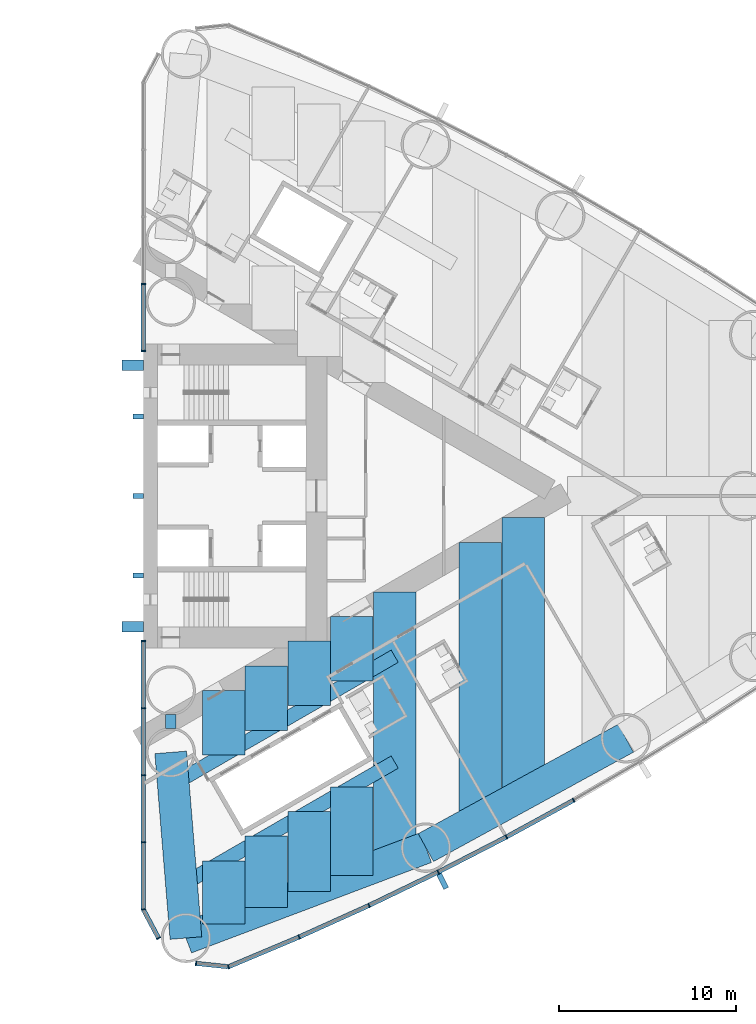
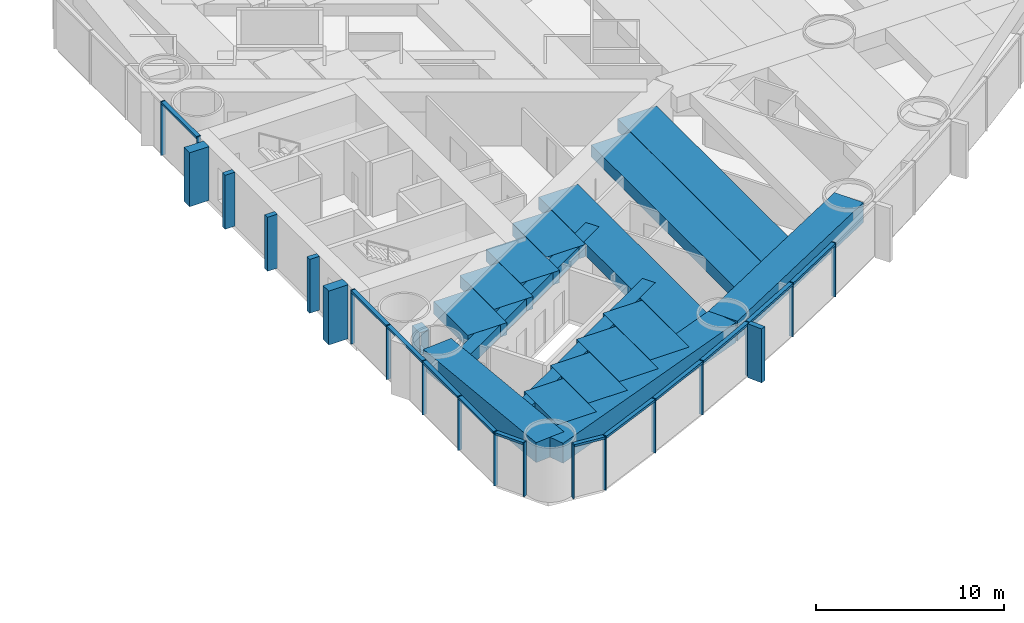
# One storey, part 6 of 19: 33 members, 17 beams, 3 elements without a shape of their own.
"""IFC4 building model written with IfcOpenShell, lengths in metres."""

from ifc_helpers import new_model, si_unit, direction, frame, origin, origin_2d, place, context, subcontext, project, spatial, rectangle, hollow_rectangle, extrude, material, material_profile, profile_set, type_object, element, aggregate, save


model = new_model("IFC4")

# Units and contexts
model_context = context("Model", 3, precision=1e-05, world=origin(), true_north=direction((0.0, 1.0)))
body_context = subcontext(model_context, "Body", "Model", "MODEL_VIEW")
ifc_project = project(units=[si_unit("LENGTHUNIT", "METRE"), si_unit("AREAUNIT", "SQUARE_METRE"), si_unit("VOLUMEUNIT", "CUBIC_METRE"), si_unit("PLANEANGLEUNIT", "RADIAN"), si_unit("MASSUNIT", "GRAM", prefix="KILO")], contexts=[model_context])

# Site, building, storey
site_placement = place(None, origin())
site = spatial("IfcSite", under=ifc_project, at=site_placement, CompositionType="ELEMENT")
building_placement = place(site_placement, origin())
building = spatial("IfcBuilding", under=site, at=building_placement, Name="Lancet Gate Hotel", CompositionType="ELEMENT")
storey_placement = place(building_placement, frame((0.0, 0.0, 60.0)))
storey = spatial("IfcBuildingStorey", under=building, at=storey_placement, Name="L15", CompositionType="ELEMENT", Elevation=60.0)

# Curtain wall, members
ifc_material_1 = material(Name="Aluminium curtain wall", Category="aluminium")
curtain_wall_type = type_object("IfcCurtainWallType", Name="Tower unitised curtain wall", PredefinedType="USERDEFINED", material=ifc_material_1)
curtain_wall_1_placement = place(storey_placement, origin())
curtain_wall_1 = element("IfcCurtainWall", 1, at=curtain_wall_1_placement, inside=storey, type_object=curtain_wall_type, Name="T2 L15 curtain wall 1", ObjectType="UNITISED CURTAIN WALL", PredefinedType="USERDEFINED")
ifc_material_2 = material(Name="Aluminium mullion", Category="aluminium")
ifc_material_profile_1 = material_profile(ifc_material_2, rectangle(XDim=0.06494140625, YDim=0.25, at=origin_2d()), Name="MULLION 65x250")
ifc_profile_set_1 = profile_set([ifc_material_profile_1], Name="Aluminium mullion")
member_type_1 = type_object("IfcMemberType", Name="Aluminium mullion 65x250", PredefinedType="MULLION", material=ifc_profile_set_1)
member_1_placement = place(storey_placement, frame((27.5, -8.199951171875, 0.0), z_axis=(0.0, 0.0, 1.0), x_axis=(0.0, -1.0, 0.0)))
member_1 = element("IfcMember", 2, at=member_1_placement, type_object=member_type_1, Name="T2 L15 curtain wall 1 mullion 1", PredefinedType="MULLION", context=body_context, shape_type="SweptSolid", body=[
    extrude(rectangle(XDim=0.06494140625, YDim=0.25, at=origin_2d()), origin(), (0.0, 0.0, 1.0), 3.5),
])
member_2_placement = place(storey_placement, frame((27.5, -11.99609375, 0.0), z_axis=(0.0, 0.0, 1.0), x_axis=(0.0, -1.0, 0.0)))
member_2 = element("IfcMember", 3, at=member_2_placement, type_object=member_type_1, Name="T2 L15 curtain wall 1 mullion 2", PredefinedType="MULLION", context=body_context, shape_type="SweptSolid", body=[
    extrude(rectangle(XDim=0.06494140625, YDim=0.25, at=origin_2d()), origin(), (0.0, 0.0, 1.0), 3.5),
])
member_3_placement = place(storey_placement, frame((27.5, -15.79248046875, 0.0), z_axis=(0.0, 0.0, 1.0), x_axis=(0.0, -1.0, 0.0)))
member_3 = element("IfcMember", 4, at=member_3_placement, type_object=member_type_1, Name="T2 L15 curtain wall 1 mullion 3", PredefinedType="MULLION", context=body_context, shape_type="SweptSolid", body=[
    extrude(rectangle(XDim=0.06494140625, YDim=0.25, at=origin_2d()), origin(), (0.0, 0.0, 1.0), 3.5),
])
member_4_placement = place(storey_placement, frame((27.5, -19.588623046875, 0.0), z_axis=(0.0, 0.0, 1.0), x_axis=(0.0, -1.0, 0.0)))
member_4 = element("IfcMember", 5, at=member_4_placement, type_object=member_type_1, Name="T2 L15 curtain wall 1 mullion 4", PredefinedType="MULLION", context=body_context, shape_type="SweptSolid", body=[
    extrude(rectangle(XDim=0.06494140625, YDim=0.25, at=origin_2d()), origin(), (0.0, 0.0, 1.0), 3.5),
])
member_5_placement = place(storey_placement, frame((27.5, -23.384765625, 0.0), z_axis=(0.0, 0.0, 1.0), x_axis=(0.157751691459, -0.987478811844, 0.0)))
member_5 = element("IfcMember", 6, at=member_5_placement, type_object=member_type_1, Name="T2 L15 curtain wall 1 mullion 5", PredefinedType="MULLION", context=body_context, shape_type="SweptSolid", body=[
    extrude(rectangle(XDim=0.06494140625, YDim=0.25, at=origin_2d()), origin(), (0.0, 0.0, 1.0), 3.5),
])
member_6_placement = place(storey_placement, frame((28.366455078125, -25.012451171875, 0.0), z_axis=(0.0, 0.0, 1.0), x_axis=(0.469897827284, -0.882720811987, 0.0)))
member_6 = element("IfcMember", 7, at=member_6_placement, type_object=member_type_1, Name="T2 L15 curtain wall 1 mullion 6", PredefinedType="MULLION", context=body_context, shape_type="SweptSolid", body=[
    extrude(rectangle(XDim=0.06494140625, YDim=0.25, at=origin_2d()), origin(), (0.0, 0.0, 1.0), 3.5),
])

curtain_wall_2_placement = place(storey_placement, origin())
curtain_wall_2 = element("IfcCurtainWall", 8, at=curtain_wall_2_placement, inside=storey, type_object=curtain_wall_type, Name="T2 L15 curtain wall 2", ObjectType="UNITISED CURTAIN WALL", PredefinedType="USERDEFINED")
member_7_placement = place(storey_placement, frame((30.48388671875, -26.4375, 0.0), z_axis=(0.0, 0.0, 1.0), x_axis=(0.994672262412, -0.10308778001, 0.0)))
member_7 = element("IfcMember", 9, at=member_7_placement, type_object=member_type_1, Name="T2 L15 curtain wall 2 mullion 1", PredefinedType="MULLION", context=body_context, shape_type="SweptSolid", body=[
    extrude(rectangle(XDim=0.06494140625, YDim=0.25, at=origin_2d()), origin(), (0.0, 0.0, 1.0), 3.5),
])
member_8_placement = place(storey_placement, frame((32.3173828125, -26.62744140625, 0.0), z_axis=(0.0, 0.0, 1.0), x_axis=(0.968721492963, 0.248150496819, 0.0)))
member_8 = element("IfcMember", 10, at=member_8_placement, type_object=member_type_1, Name="T2 L15 curtain wall 2 mullion 2", PredefinedType="MULLION", context=body_context, shape_type="SweptSolid", body=[
    extrude(rectangle(XDim=0.06494140625, YDim=0.25, at=origin_2d()), origin(), (0.0, 0.0, 1.0), 3.5),
])
member_9_placement = place(storey_placement, frame((36.31494140625, -24.943603515625, 0.0), z_axis=(0.0, 0.0, 1.0), x_axis=(0.916578705089, 0.399854320193, 0.0)))
member_9 = element("IfcMember", 11, at=member_9_placement, type_object=member_type_1, Name="T2 L15 curtain wall 2 mullion 3", PredefinedType="MULLION", context=body_context, shape_type="SweptSolid", body=[
    extrude(rectangle(XDim=0.06494140625, YDim=0.25, at=origin_2d()), origin(), (0.0, 0.0, 1.0), 3.5),
])
member_10_placement = place(storey_placement, frame((40.2685546875, -23.15869140625, 0.0), z_axis=(0.0, 0.0, 1.0), x_axis=(0.906104948671, 0.423052977762, 0.0)))
member_10 = element("IfcMember", 12, at=member_10_placement, type_object=member_type_1, Name="T2 L15 curtain wall 2 mullion 4", PredefinedType="MULLION", context=body_context, shape_type="SweptSolid", body=[
    extrude(rectangle(XDim=0.06494140625, YDim=0.25, at=origin_2d()), origin(), (0.0, 0.0, 1.0), 3.5),
])
member_11_placement = place(storey_placement, frame((44.17529296875, -21.273681640625, 0.0), z_axis=(0.0, 0.0, 1.0), x_axis=(0.895044147438, 0.445977548917, 0.0)))
member_11 = element("IfcMember", 13, at=member_11_placement, type_object=member_type_1, Name="T2 L15 curtain wall 2 mullion 5", PredefinedType="MULLION", context=body_context, shape_type="SweptSolid", body=[
    extrude(rectangle(XDim=0.06494140625, YDim=0.25, at=origin_2d()), origin(), (0.0, 0.0, 1.0), 3.5),
])
member_12_placement = place(storey_placement, frame((48.03271484375, -19.2900390625, 0.0), z_axis=(0.0, 0.0, 1.0), x_axis=(0.88340346743, 0.468613181347, 0.0)))
member_12 = element("IfcMember", 14, at=member_12_placement, type_object=member_type_1, Name="T2 L15 curtain wall 2 mullion 6", PredefinedType="MULLION", context=body_context, shape_type="SweptSolid", body=[
    extrude(rectangle(XDim=0.06494140625, YDim=0.25, at=origin_2d()), origin(), (0.0, 0.0, 1.0), 3.5),
])
member_13_placement = place(storey_placement, frame((51.838623046875, -17.208740234375, 0.0), z_axis=(0.0, 0.0, 1.0), x_axis=(0.871190450382, 0.490945209941, 0.0)))
member_13 = element("IfcMember", 15, at=member_13_placement, type_object=member_type_1, Name="T2 L15 curtain wall 2 mullion 7", PredefinedType="MULLION", context=body_context, shape_type="SweptSolid", body=[
    extrude(rectangle(XDim=0.06494140625, YDim=0.25, at=origin_2d()), origin(), (0.0, 0.0, 1.0), 3.5),
])

curtain_wall_3_placement = place(storey_placement, origin())
curtain_wall_3 = element("IfcCurtainWall", 16, at=curtain_wall_3_placement, inside=storey, type_object=curtain_wall_type, Name="T2 L15 curtain wall 4", ObjectType="UNITISED CURTAIN WALL", PredefinedType="USERDEFINED")
member_14_placement = place(storey_placement, frame((27.5, 11.99609375, 0.0), z_axis=(0.0, 0.0, 1.0), x_axis=(0.0, -1.0, 0.0)))
member_14 = element("IfcMember", 17, at=member_14_placement, type_object=member_type_1, Name="T2 L15 curtain wall 4 mullion 5", PredefinedType="MULLION", context=body_context, shape_type="SweptSolid", body=[
    extrude(rectangle(XDim=0.06494140625, YDim=0.25, at=origin_2d()), origin(), (0.0, 0.0, 1.0), 3.5),
])
member_15_placement = place(storey_placement, frame((27.5, 8.199951171875, 0.0), z_axis=(0.0, 0.0, 1.0), x_axis=(0.0, -1.0, 0.0)))
member_15 = element("IfcMember", 18, at=member_15_placement, type_object=member_type_1, Name="T2 L15 curtain wall 4 mullion 6", PredefinedType="MULLION", context=body_context, shape_type="SweptSolid", body=[
    extrude(rectangle(XDim=0.06494140625, YDim=0.25, at=origin_2d()), origin(), (0.0, 0.0, 1.0), 3.5),
])

# Member
ifc_material_3 = material(Name="Aluminium transom", Category="aluminium")
ifc_material_profile_2 = material_profile(ifc_material_3, rectangle(XDim=0.25, YDim=0.14990234375, at=origin_2d()), Name="TRANSOM 250x150")
ifc_profile_set_2 = profile_set([ifc_material_profile_2], Name="Aluminium transom")
member_type_2 = type_object("IfcMemberType", Name="Aluminium transom 250x150", PredefinedType="USERDEFINED", material=ifc_profile_set_2)
member_16_placement = place(storey_placement, frame((27.5, -8.232421875, 3.425048828125), z_axis=(0.0, -1.0, 0.0), x_axis=(1.0, 0.0, 0.0)))
member_16 = element("IfcMember", 19, at=member_16_placement, type_object=member_type_2, Name="T2 L15 curtain wall 1 transom 1", ObjectType="TRANSOM", PredefinedType="USERDEFINED", context=body_context, shape_type="SweptSolid", body=[
    extrude(rectangle(XDim=0.25, YDim=0.14990234375, at=origin_2d()), origin(), (0.0, 0.0, 1.0), 3.731201171875),
])

member_17_placement = place(storey_placement, frame((27.5, -12.02880859375, 3.425048828125), z_axis=(0.0, -1.0, 0.0), x_axis=(1.0, 0.0, 0.0)))
member_17 = element("IfcMember", 20, at=member_17_placement, type_object=member_type_2, Name="T2 L15 curtain wall 1 transom 2", ObjectType="TRANSOM", PredefinedType="USERDEFINED", context=body_context, shape_type="SweptSolid", body=[
    extrude(rectangle(XDim=0.25, YDim=0.14990234375, at=origin_2d()), origin(), (0.0, 0.0, 1.0), 3.731201171875),
])

member_18_placement = place(storey_placement, frame((27.5, -15.824951171875, 3.425048828125), z_axis=(0.0, -1.0, 0.0), x_axis=(1.0, 0.0, 0.0)))
member_18 = element("IfcMember", 21, at=member_18_placement, type_object=member_type_2, Name="T2 L15 curtain wall 1 transom 3", ObjectType="TRANSOM", PredefinedType="USERDEFINED", context=body_context, shape_type="SweptSolid", body=[
    extrude(rectangle(XDim=0.25, YDim=0.14990234375, at=origin_2d()), origin(), (0.0, 0.0, 1.0), 3.731201171875),
])

member_19_placement = place(storey_placement, frame((27.5, -19.62109375, 3.425048828125), z_axis=(0.0, -1.0, 0.0), x_axis=(1.0, 0.0, 0.0)))
member_19 = element("IfcMember", 22, at=member_19_placement, type_object=member_type_2, Name="T2 L15 curtain wall 1 transom 4", ObjectType="TRANSOM", PredefinedType="USERDEFINED", context=body_context, shape_type="SweptSolid", body=[
    extrude(rectangle(XDim=0.25, YDim=0.14990234375, at=origin_2d()), origin(), (0.0, 0.0, 1.0), 3.731201171875),
])

member_20_placement = place(storey_placement, frame((27.515380859375, -23.41357421875, 3.425048828125), z_axis=(0.469904276347, -0.882717378933, 0.0), x_axis=(0.882717378933, 0.469904276347, 0.0)))
member_20 = element("IfcMember", 23, at=member_20_placement, type_object=member_type_2, Name="T2 L15 curtain wall 1 transom 5", ObjectType="TRANSOM", PredefinedType="USERDEFINED", context=body_context, shape_type="SweptSolid", body=[
    extrude(rectangle(XDim=0.25, YDim=0.14990234375, at=origin_2d()), origin(), (0.0, 0.0, 1.0), 1.779052734375),
])

aggregate(curtain_wall_1, [member_1, member_2, member_3, member_4, member_5, member_6, member_16, member_17, member_18, member_19, member_20])

member_21_placement = place(storey_placement, frame((30.516357421875, -26.440673828125, 3.425048828125), z_axis=(0.994670452051, -0.103105246306, 0.0), x_axis=(0.103105246306, 0.994670452051, 0.0)))
member_21 = element("IfcMember", 24, at=member_21_placement, type_object=member_type_2, Name="T2 L15 curtain wall 2 transom 1", ObjectType="TRANSOM", PredefinedType="USERDEFINED", context=body_context, shape_type="SweptSolid", body=[
    extrude(rectangle(XDim=0.25, YDim=0.14990234375, at=origin_2d()), origin(), (0.0, 0.0, 1.0), 1.7783203125),
])

member_22_placement = place(storey_placement, frame((32.347412109375, -26.61474609375, 3.425048828125), z_axis=(0.92159772617, 0.388146404233, 0.0), x_axis=(-0.388146404233, 0.92159772617, 0.0)))
member_22 = element("IfcMember", 25, at=member_22_placement, type_object=member_type_2, Name="T2 L15 curtain wall 2 transom 2", ObjectType="TRANSOM", PredefinedType="USERDEFINED", context=body_context, shape_type="SweptSolid", body=[
    extrude(rectangle(XDim=0.25, YDim=0.14990234375, at=origin_2d()), origin(), (0.0, 0.0, 1.0), 4.272705078125),
])

member_23_placement = place(storey_placement, frame((36.3447265625, -24.930419921875, 3.425048828125), z_axis=(0.911396871737, 0.411528543589, 0.0), x_axis=(-0.411528543589, 0.911396871737, 0.0)))
member_23 = element("IfcMember", 26, at=member_23_placement, type_object=member_type_2, Name="T2 L15 curtain wall 2 transom 3", ObjectType="TRANSOM", PredefinedType="USERDEFINED", context=body_context, shape_type="SweptSolid", body=[
    extrude(rectangle(XDim=0.25, YDim=0.14990234375, at=origin_2d()), origin(), (0.0, 0.0, 1.0), 4.272705078125),
])

member_24_placement = place(storey_placement, frame((40.2978515625, -23.14453125, 3.425048828125), z_axis=(0.900646499888, 0.434552508035, 0.0), x_axis=(-0.434552508035, 0.900646499888, 0.0)))
member_24 = element("IfcMember", 27, at=member_24_placement, type_object=member_type_2, Name="T2 L15 curtain wall 2 transom 4", ObjectType="TRANSOM", PredefinedType="USERDEFINED", context=body_context, shape_type="SweptSolid", body=[
    extrude(rectangle(XDim=0.25, YDim=0.14990234375, at=origin_2d()), origin(), (0.0, 0.0, 1.0), 4.272705078125),
])

member_25_placement = place(storey_placement, frame((44.2041015625, -21.259033203125, 3.425048828125), z_axis=(0.88929576978, 0.457332520002, 0.0), x_axis=(-0.457332520002, 0.88929576978, 0.0)))
member_25 = element("IfcMember", 28, at=member_25_placement, type_object=member_type_2, Name="T2 L15 curtain wall 2 transom 5", ObjectType="TRANSOM", PredefinedType="USERDEFINED", context=body_context, shape_type="SweptSolid", body=[
    extrude(rectangle(XDim=0.25, YDim=0.14990234375, at=origin_2d()), origin(), (0.0, 0.0, 1.0), 4.272705078125),
])

member_26_placement = place(storey_placement, frame((48.061279296875, -19.2744140625, 3.425048828125), z_axis=(0.877377528879, 0.479800658417, 0.0), x_axis=(-0.479800658417, 0.877377528879, 0.0)))
member_26 = element("IfcMember", 29, at=member_26_placement, type_object=member_type_2, Name="T2 L15 curtain wall 2 transom 6", ObjectType="TRANSOM", PredefinedType="USERDEFINED", context=body_context, shape_type="SweptSolid", body=[
    extrude(rectangle(XDim=0.25, YDim=0.14990234375, at=origin_2d()), origin(), (0.0, 0.0, 1.0), 4.272705078125),
])

member_27_placement = place(storey_placement, frame((27.5, 11.963623046875, 3.425048828125), z_axis=(0.0, -1.0, 0.0), x_axis=(1.0, 0.0, 0.0)))
member_27 = element("IfcMember", 30, at=member_27_placement, type_object=member_type_2, Name="T2 L15 curtain wall 4 transom 5", ObjectType="TRANSOM", PredefinedType="USERDEFINED", context=body_context, shape_type="SweptSolid", body=[
    extrude(rectangle(XDim=0.25, YDim=0.14990234375, at=origin_2d()), origin(), (0.0, 0.0, 1.0), 3.731201171875),
])

aggregate(curtain_wall_3, [member_14, member_15, member_27])

# Beams
ifc_material_4 = material(Name="Concrete C50/60", Category="concrete")
ifc_material_profile_3 = material_profile(ifc_material_4, rectangle(XDim=1.800048828125, YDim=1.300048828125, at=origin_2d()), Name="RC 1800x1300")
ifc_profile_set_3 = profile_set([ifc_material_profile_3], Name="Concrete C50/60")
beam_type_1 = type_object("IfcBeamType", Name="Edge beam RC 1800x1300", PredefinedType="SPANDREL", material=ifc_profile_set_3)
beam_1_placement = place(storey_placement, frame((29.9111328125, -25.00244140625, 2.60009765625), z_axis=(0.935736448066, 0.352700013836, 0.0), x_axis=(-0.352700013836, 0.935736448066, 0.0)))
element("IfcBeam", 31, at=beam_1_placement, inside=storey, type_object=beam_type_1, Name="T2 edge beam EB1 L15", PredefinedType="SPANDREL", context=body_context, shape_type="SweptSolid", body=[
    extrude(rectangle(XDim=1.800048828125, YDim=1.300048828125, at=origin_2d()), origin(), (0.0, 0.0, 1.0), 14.505126953125),
])
beam_2_placement = place(storey_placement, frame((43.484130859375, -19.886474609375, 2.60009765625), z_axis=(0.87736889738, 0.479816441893, 0.0), x_axis=(-0.479816441893, 0.87736889738, 0.0)))
element("IfcBeam", 32, at=beam_2_placement, inside=storey, type_object=beam_type_1, Name="T2 edge beam EB1 L15", PredefinedType="SPANDREL", context=body_context, shape_type="SweptSolid", body=[
    extrude(rectangle(XDim=1.800048828125, YDim=1.300048828125, at=origin_2d()), origin(), (0.0, 0.0, 1.0), 12.89208984375),
])
beam_3_placement = place(storey_placement, frame((29.9111328125, -25.00244140625, 2.60009765625), z_axis=(-0.081714744052, 0.996655758326, 0.0), x_axis=(-0.996655758326, -0.081714744052, 0.0)))
element("IfcBeam", 33, at=beam_3_placement, inside=storey, type_object=beam_type_1, Name="T2 edge beam EB1 L15", PredefinedType="SPANDREL", context=body_context, shape_type="SweptSolid", body=[
    extrude(rectangle(XDim=1.800048828125, YDim=1.300048828125, at=origin_2d()), origin(), (0.0, 0.0, 1.0), 10.53759765625),
])

# Members
ifc_material_5 = material(Name="Concrete C60/75", Category="concrete")
ifc_material_profile_4 = material_profile(ifc_material_5, rectangle(XDim=0.60009765625, YDim=1.199951171875, at=origin_2d()), Name="FIN 600x1200")
ifc_profile_set_4 = profile_set([ifc_material_profile_4], Name="Concrete C60/75")
member_type_3 = type_object("IfcMemberType", Name="Exposed concrete buttress pilaster 600x1200", PredefinedType="USERDEFINED", material=ifc_profile_set_4)
for number, where, z_axis, x_axis, name in (
    (34, (26.909912109375, -7.39990234375, 0.0), (0.0, 0.0, 1.0), (0.0, 1.0, 0.0), "T2 buttress pilaster S L15"),
    (35, (26.909912109375, 7.39990234375, 0.0), (0.0, 0.0, 1.0), (0.0, 1.0, 0.0), "T2 buttress pilaster N L15"),
):
    element("IfcMember", number, at=place(storey_placement, frame(where, z_axis=z_axis, x_axis=x_axis)), inside=storey, type_object=member_type_3, Name=name, ObjectType="FIN", PredefinedType="USERDEFINED", context=body_context, shape_type="SweptSolid", body=[
        extrude(rectangle(XDim=0.60009765625, YDim=1.199951171875, at=origin_2d()), origin(), (0.0, 0.0, 1.0), 3.5),
    ])

# Member
ifc_material_6 = material(Name="Precast concrete C50/60", Category="concrete")
ifc_material_profile_5 = material_profile(ifc_material_6, rectangle(XDim=0.300048828125, YDim=0.89990234375, at=origin_2d()), Name="FIN 300x900")
ifc_profile_set_5 = profile_set([ifc_material_profile_5], Name="Precast concrete C50/60")
member_type_4 = type_object("IfcMemberType", Name="Exposed concrete fin 300x900", PredefinedType="USERDEFINED", material=ifc_profile_set_5)
member_28_placement = place(storey_placement, frame((44.431640625, -21.788330078125, 0.0), z_axis=(0.0, 0.0, 1.0), x_axis=(0.895044147438, 0.445977548917, 0.0)))
member_28 = element("IfcMember", 36, at=member_28_placement, type_object=member_type_4, Name="T2 L15 curtain wall 2 fin 5", ObjectType="FIN", PredefinedType="USERDEFINED", context=body_context, shape_type="SweptSolid", body=[
    extrude(rectangle(XDim=0.300048828125, YDim=0.89990234375, at=origin_2d()), origin(), (0.0, 0.0, 1.0), 3.5),
])

aggregate(curtain_wall_2, [member_7, member_8, member_9, member_10, member_11, member_28, member_12, member_13, member_21, member_22, member_23, member_24, member_25, member_26])

# Members
ifc_material_7 = material(Name="Concrete C60/75", Category="concrete")
ifc_material_profile_6 = material_profile(ifc_material_7, rectangle(XDim=0.300048828125, YDim=0.60009765625, at=origin_2d()), Name="FIN 300x600")
ifc_profile_set_6 = profile_set([ifc_material_profile_6], Name="Concrete C60/75")
member_type_5 = type_object("IfcMemberType", Name="Exposed concrete rib 300x600", PredefinedType="USERDEFINED", material=ifc_profile_set_6)
for number, where, z_axis, x_axis, name in (
    (37, (27.2099609375, -4.5, 0.0), (0.0, 0.0, 1.0), (0.0, 1.0, 0.0), "T2 core rib 1 L15"),
    (38, (27.2099609375, 0.0, 0.0), (0.0, 0.0, 1.0), (0.0, 1.0, 0.0), "T2 core rib 2 L15"),
    (39, (27.2099609375, 4.5, 0.0), (0.0, 0.0, 1.0), (0.0, 1.0, 0.0), "T2 core rib 3 L15"),
):
    element("IfcMember", number, at=place(storey_placement, frame(where, z_axis=z_axis, x_axis=x_axis)), inside=storey, type_object=member_type_5, Name=name, ObjectType="FIN", PredefinedType="USERDEFINED", context=body_context, shape_type="SweptSolid", body=[
        extrude(rectangle(XDim=0.300048828125, YDim=0.60009765625, at=origin_2d()), origin(), (0.0, 0.0, 1.0), 3.5),
    ])

# Beams
ifc_material_8 = material(Name="Concrete C50/60", Category="concrete")
ifc_material_profile_7 = material_profile(ifc_material_8, rectangle(XDim=2.39990234375, YDim=0.800048828125, at=origin_2d()), Name="RC 2400x800")
ifc_profile_set_7 = profile_set([ifc_material_profile_7], Name="Concrete C50/60")
beam_type_2 = type_object("IfcBeamType", Name="Floor beam RC 2400x800", PredefinedType="BEAM", material=ifc_profile_set_7)
beam_4_placement = place(storey_placement, frame((41.721435546875, -20.55078125, 2.85009765625), z_axis=(0.0, 1.0, 0.0), x_axis=(-1.0, 0.0, 0.0)))
element("IfcBeam", 40, at=beam_4_placement, inside=storey, type_object=beam_type_2, Name="T2 floor beam F11S L15", PredefinedType="BEAM", context=body_context, shape_type="SweptSolid", body=[
    extrude(rectangle(XDim=2.39990234375, YDim=0.800048828125, at=origin_2d()), origin(), (0.0, 0.0, 1.0), 15.134765625),
])
beam_5_placement = place(storey_placement, frame((46.561767578125, -18.203369140625, 2.85009765625), z_axis=(0.0, 1.0, 0.0), x_axis=(-1.0, 0.0, 0.0)))
element("IfcBeam", 41, at=beam_5_placement, inside=storey, type_object=beam_type_2, Name="T2 floor beam F13S L15", PredefinedType="BEAM", context=body_context, shape_type="SweptSolid", body=[
    extrude(rectangle(XDim=2.39990234375, YDim=0.800048828125, at=origin_2d()), origin(), (0.0, 0.0, 1.0), 15.58203125),
])
beam_6_placement = place(storey_placement, frame((48.98193359375, -16.879638671875, 2.85009765625), z_axis=(0.0, 1.0, 0.0), x_axis=(-1.0, 0.0, 0.0)))
element("IfcBeam", 42, at=beam_6_placement, inside=storey, type_object=beam_type_2, Name="T2 floor beam F15S L15", PredefinedType="BEAM", context=body_context, shape_type="SweptSolid", body=[
    extrude(rectangle(XDim=2.39990234375, YDim=0.800048828125, at=origin_2d()), origin(), (0.0, 0.0, 1.0), 15.655517578125),
])
beam_7_placement = place(storey_placement, frame((32.04052734375, -24.199951171875, 2.85009765625), z_axis=(0.0, 1.0, 0.0), x_axis=(-1.0, 0.0, 0.0)))
element("IfcBeam", 43, at=beam_7_placement, inside=storey, type_object=beam_type_2, Name="T2 floor beam F03SA L15", PredefinedType="BEAM", context=body_context, shape_type="SweptSolid", body=[
    extrude(rectangle(XDim=2.39990234375, YDim=0.800048828125, at=origin_2d()), origin(), (0.0, 0.0, 1.0), 3.5615234375),
])
beam_8_placement = place(storey_placement, frame((32.04052734375, -14.65087890625, 2.85009765625), z_axis=(0.0, 1.0, 0.0), x_axis=(-1.0, 0.0, 0.0)))
element("IfcBeam", 44, at=beam_8_placement, inside=storey, type_object=beam_type_2, Name="T2 floor beam F03SB L15", PredefinedType="BEAM", context=body_context, shape_type="SweptSolid", body=[
    extrude(rectangle(XDim=2.39990234375, YDim=0.800048828125, at=origin_2d()), origin(), (0.0, 0.0, 1.0), 3.6455078125),
])
beam_9_placement = place(storey_placement, frame((34.460693359375, -23.28759765625, 2.85009765625), z_axis=(0.0, 1.0, 0.0), x_axis=(-1.0, 0.0, 0.0)))
element("IfcBeam", 45, at=beam_9_placement, inside=storey, type_object=beam_type_2, Name="T2 floor beam F05SA L15", PredefinedType="BEAM", context=body_context, shape_type="SweptSolid", body=[
    extrude(rectangle(XDim=2.39990234375, YDim=0.800048828125, at=origin_2d()), origin(), (0.0, 0.0, 1.0), 4.04638671875),
])
beam_10_placement = place(storey_placement, frame((34.460693359375, -13.253662109375, 2.85009765625), z_axis=(0.0, 1.0, 0.0), x_axis=(-1.0, 0.0, 0.0)))
element("IfcBeam", 46, at=beam_10_placement, inside=storey, type_object=beam_type_2, Name="T2 floor beam F05SB L15", PredefinedType="BEAM", context=body_context, shape_type="SweptSolid", body=[
    extrude(rectangle(XDim=2.39990234375, YDim=0.800048828125, at=origin_2d()), origin(), (0.0, 0.0, 1.0), 3.645751953125),
])
beam_11_placement = place(storey_placement, frame((36.880859375, -22.37548828125, 2.85009765625), z_axis=(0.0, 1.0, 0.0), x_axis=(-1.0, 0.0, 0.0)))
element("IfcBeam", 47, at=beam_11_placement, inside=storey, type_object=beam_type_2, Name="T2 floor beam F07SA L15", PredefinedType="BEAM", context=body_context, shape_type="SweptSolid", body=[
    extrude(rectangle(XDim=2.39990234375, YDim=0.800048828125, at=origin_2d()), origin(), (0.0, 0.0, 1.0), 4.53173828125),
])
beam_12_placement = place(storey_placement, frame((36.880859375, -11.8564453125, 2.85009765625), z_axis=(0.0, 1.0, 0.0), x_axis=(-1.0, 0.0, 0.0)))
element("IfcBeam", 48, at=beam_12_placement, inside=storey, type_object=beam_type_2, Name="T2 floor beam F07SB L15", PredefinedType="BEAM", context=body_context, shape_type="SweptSolid", body=[
    extrude(rectangle(XDim=2.39990234375, YDim=0.800048828125, at=origin_2d()), origin(), (0.0, 0.0, 1.0), 3.645751953125),
])
beam_13_placement = place(storey_placement, frame((39.301025390625, -21.463134765625, 2.85009765625), z_axis=(0.0, 1.0, 0.0), x_axis=(-1.0, 0.0, 0.0)))
element("IfcBeam", 49, at=beam_13_placement, inside=storey, type_object=beam_type_2, Name="T2 floor beam F09SA L15", PredefinedType="BEAM", context=body_context, shape_type="SweptSolid", body=[
    extrude(rectangle(XDim=2.39990234375, YDim=0.800048828125, at=origin_2d()), origin(), (0.0, 0.0, 1.0), 5.0166015625),
])
beam_14_placement = place(storey_placement, frame((39.301025390625, -10.458984375, 2.85009765625), z_axis=(0.0, 1.0, 0.0), x_axis=(-1.0, 0.0, 0.0)))
element("IfcBeam", 50, at=beam_14_placement, inside=storey, type_object=beam_type_2, Name="T2 floor beam F09SB L15", PredefinedType="BEAM", context=body_context, shape_type="SweptSolid", body=[
    extrude(rectangle(XDim=2.39990234375, YDim=0.800048828125, at=origin_2d()), origin(), (0.0, 0.0, 1.0), 3.6455078125),
])
ifc_material_9 = material(Name="Steel S460QL", Category="steel")
ifc_material_profile_8 = material_profile(ifc_material_9, hollow_rectangle(XDim=0.60009765625, YDim=1.5, WallThickness=0.050048828125, at=origin_2d()), Name="BOX 1500x600x50")
ifc_profile_set_8 = profile_set([ifc_material_profile_8], Name="Steel S460QL")
beam_type_3 = type_object("IfcBeamType", Name="Inner-face link beam BOX 1500x600x50", PredefinedType="BEAM", material=ifc_profile_set_8)
beam_15_placement = place(storey_placement, frame((29.050048828125, -13.14990234375, 2.5), z_axis=(0.0, 1.0, 0.0), x_axis=(-1.0, 0.0, 0.0)))
element("IfcBeam", 51, at=beam_15_placement, inside=storey, type_object=beam_type_3, Name="T2 inner-face link beam LK1 L15", PredefinedType="BEAM", context=body_context, shape_type="SweptSolid", body=[
    extrude(hollow_rectangle(XDim=0.60009765625, YDim=1.5, WallThickness=0.050048828125, at=origin_2d()), origin(), (0.0, 0.0, 1.0), 0.7998046875),
])
ifc_material_10 = material(Name="Steel S460QL", Category="steel")
ifc_material_profile_9 = material_profile(ifc_material_10, hollow_rectangle(XDim=0.800048828125, YDim=0.800048828125, WallThickness=0.080078125, at=origin_2d()), Name="BOX 800x800x80")
ifc_profile_set_9 = profile_set([ifc_material_profile_9], Name="Steel S460QL")
beam_type_4 = type_object("IfcBeamType", Name="Trimmer beam BOX 800x800x80", PredefinedType="BEAM", material=ifc_profile_set_9)
beam_16_placement = place(storey_placement, frame((29.6201171875, -16.048095703125, 2.85009765625), z_axis=(0.866036909293, 0.499980071345, 0.0), x_axis=(-0.499980071345, 0.866036909293, 0.0)))
element("IfcBeam", 52, at=beam_16_placement, inside=storey, type_object=beam_type_4, Name="T2 trimmer beam TR01S L15", PredefinedType="BEAM", context=body_context, shape_type="SweptSolid", body=[
    extrude(hollow_rectangle(XDim=0.800048828125, YDim=0.800048828125, WallThickness=0.080078125, at=origin_2d()), origin(), (0.0, 0.0, 1.0), 13.97314453125),
])
beam_17_placement = place(storey_placement, frame((29.665771484375, -22.00927734375, 2.85009765625), z_axis=(0.866037222451, 0.499979528911, 0.0), x_axis=(-0.499979528911, 0.866037222451, 0.0)))
element("IfcBeam", 53, at=beam_17_placement, inside=storey, type_object=beam_type_4, Name="T2 trimmer beam TR02S L15", PredefinedType="BEAM", context=body_context, shape_type="SweptSolid", body=[
    extrude(hollow_rectangle(XDim=0.800048828125, YDim=0.800048828125, WallThickness=0.080078125, at=origin_2d()), origin(), (0.0, 0.0, 1.0), 13.92041015625),
])

save(model, "model.ifc")
